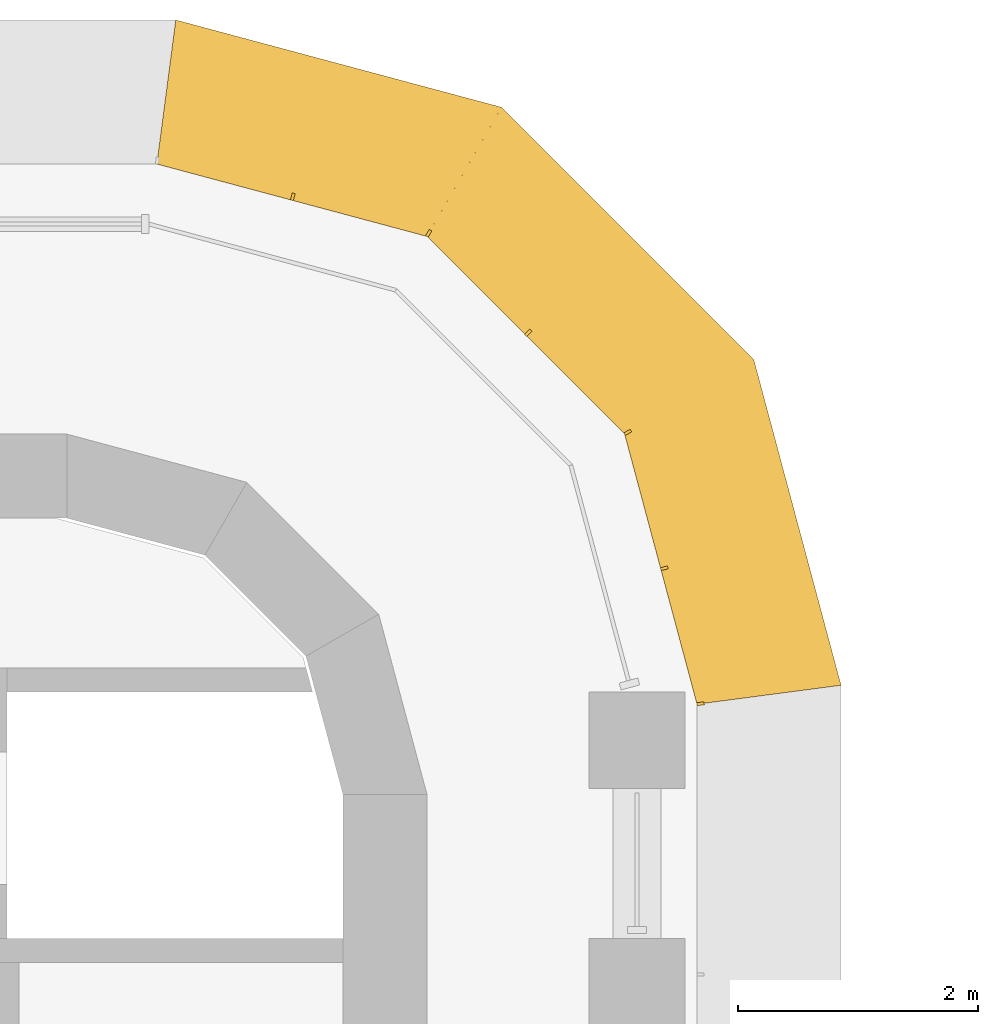
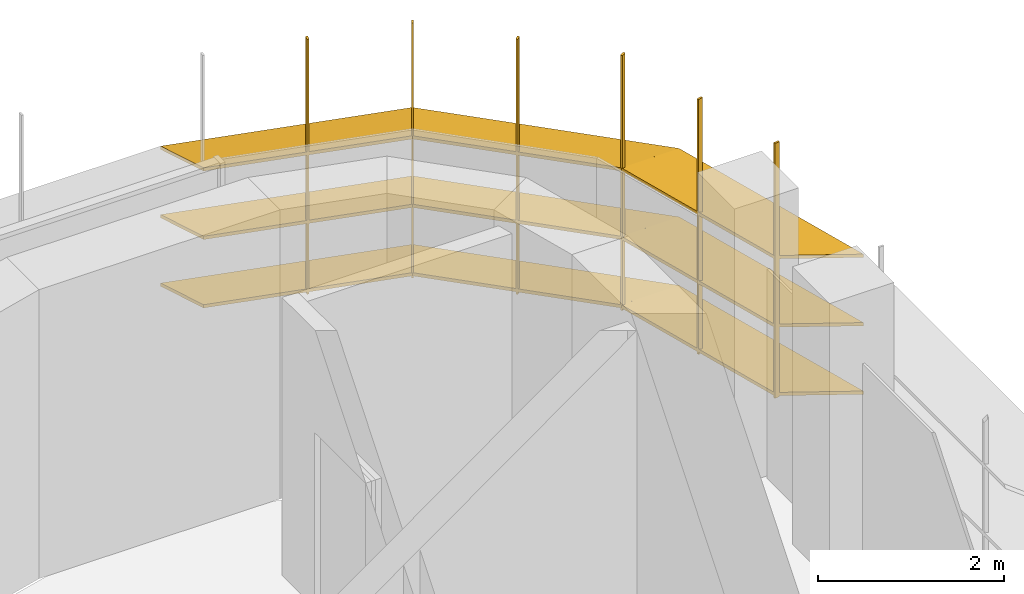
# One storey, part 20 of 20: 1 shading device.
"""IFC4 building model written with IfcOpenShell, lengths in metres."""

from ifc_helpers import new_model, si_unit, direction, frame, origin, place, context, subcontext, project, spatial, polyline, outline, extrude, faceted_brep, source, transform, mapped, material, type_object, element, save


model = new_model("IFC4")

# Units and contexts
model_context = context("Model", 3, precision=1e-05, world=origin(), true_north=direction((0.0, 1.0)))
body_context = subcontext(model_context, "Body", "Model", "MODEL_VIEW")
ifc_project = project(units=[si_unit("LENGTHUNIT", "METRE"), si_unit("AREAUNIT", "SQUARE_METRE"), si_unit("VOLUMEUNIT", "CUBIC_METRE"), si_unit("PLANEANGLEUNIT", "RADIAN"), si_unit("MASSUNIT", "GRAM", prefix="KILO")], contexts=[model_context])

# Site, building, storey
site_placement = place(None, origin())
site = spatial("IfcSite", under=ifc_project, at=site_placement, CompositionType="ELEMENT")
building_placement = place(site_placement, origin())
building = spatial("IfcBuilding", under=site, at=building_placement, Name="Zarbagh Exchange Tower", CompositionType="ELEMENT")
storey_placement = place(building_placement, frame((0.0, 0.0, 144.800048828125)))
storey = spatial("IfcBuildingStorey", under=building, at=storey_placement, Name="L34", CompositionType="ELEMENT", Elevation=144.800048828125)

# Shading device
ifc_material = material(Name="Anodised aluminium blades and brackets", Category="aluminium")
shading_device_type = type_object("IfcShadingDeviceType", Name="SUNSHADE louvre band, 22.5 degree blades", PredefinedType="JALOUSIE", material=ifc_material)
shared_shape_1 = source(origin(), body_context, "Body", "Brep", [
    faceted_brep([(0.0, 0.0, 0.0), (0.0, 0.0, -0.043212890625), (-0.157958984375, -1.199951171875, -0.540283203125), (-0.157958984375, -1.199951171875, -0.4970703125), (2.65087890625, -1.199951171875, -0.4970703125), (2.65087890625, -1.199951171875, -0.540283203125), (2.329345703125, 0.0, -0.043212890625), (2.329345703125, 0.0, 0.0)], [[[0, 1, 2, 3]], [[4, 5, 6, 7]], [[0, 7, 6, 1]], [[1, 6, 5, 2]], [[2, 5, 4, 3]], [[3, 4, 7, 0]]]),
])
shared_shape_2 = source(origin(), body_context, "Body", "Brep", [
    faceted_brep([(0.0, 0.0, 0.0), (0.0, 0.0, -0.043212890625), (-0.321533203125, -1.199951171875, -0.540283203125), (-0.321533203125, -1.199951171875, -0.4970703125), (2.65087890625, -1.199951171875, -0.4970703125), (2.65087890625, -1.199951171875, -0.540283203125), (2.329345703125, 0.0, -0.043212890625), (2.329345703125, 0.0, 0.0)], [[[0, 1, 2, 3]], [[4, 5, 6, 7]], [[0, 7, 6, 1]], [[1, 6, 5, 2]], [[2, 5, 4, 3]], [[3, 4, 7, 0]]]),
])
shared_shape_3 = source(origin(), body_context, "Body", "Brep", [
    faceted_brep([(0.0, 0.0, 0.0), (0.0, 0.0, -0.043212890625), (-0.321533203125, -1.199951171875, -0.540283203125), (-0.321533203125, -1.199951171875, -0.4970703125), (2.4873046875, -1.199951171875, -0.4970703125), (2.4873046875, -1.199951171875, -0.540283203125), (2.329345703125, 0.0, -0.043212890625), (2.329345703125, 0.0, 0.0)], [[[0, 1, 2, 3]], [[4, 5, 6, 7]], [[0, 7, 6, 1]], [[1, 6, 5, 2]], [[2, 5, 4, 3]], [[3, 4, 7, 0]]]),
])
shared_shape_4 = source(origin(), body_context, "Body", "SweptSolid", [
    extrude(outline(polyline([(0.0, -0.012451171875), (0.06005859375, -0.012451171875), (0.06005859375, 0.012451171875), (0.0, 0.012451171875), (0.0, -0.012451171875)])), origin(), (0.0, 0.0, 1.0), 3.353271484375),
])
shading_device_placement = place(storey_placement, origin())
element("IfcShadingDevice", 1, at=shading_device_placement, inside=storey, type_object=shading_device_type, Name="SS26 sunshade band", PredefinedType="JALOUSIE", context=body_context, shape_type="MappedRepresentation", body=[
    mapped(shared_shape_1, transform((6.75, 27.0, 2.300048828125), x_axis=(-0.258824779902, 0.965924289636, 0.0), y_axis=(-0.965924289636, -0.258824779902, 0.0), z_axis=(0.0, 0.0, 1.0))),
    mapped(shared_shape_1, transform((6.75, 27.0, 1.39990234375), x_axis=(-0.258824779902, 0.965924289636, 0.0), y_axis=(-0.965924289636, -0.258824779902, 0.0), z_axis=(0.0, 0.0, 1.0))),
    mapped(shared_shape_1, transform((6.75, 27.0, 0.5), x_axis=(-0.258824779902, 0.965924289636, 0.0), y_axis=(-0.965924289636, -0.258824779902, 0.0), z_axis=(0.0, 0.0, 1.0))),
    mapped(shared_shape_2, transform((6.147216796875, 29.25, 2.300048828125), x_axis=(-0.707106781187, 0.707106781187, 0.0), y_axis=(-0.707106781187, -0.707106781187, 0.0), z_axis=(0.0, 0.0, 1.0))),
    mapped(shared_shape_2, transform((6.147216796875, 29.25, 1.39990234375), x_axis=(-0.707106781187, 0.707106781187, 0.0), y_axis=(-0.707106781187, -0.707106781187, 0.0), z_axis=(0.0, 0.0, 1.0))),
    mapped(shared_shape_2, transform((6.147216796875, 29.25, 0.5), x_axis=(-0.707106781187, 0.707106781187, 0.0), y_axis=(-0.707106781187, -0.707106781187, 0.0), z_axis=(0.0, 0.0, 1.0))),
    mapped(shared_shape_3, transform((4.5, 30.897216796875, 2.300048828125), x_axis=(-0.965924289636, 0.258824779902, 0.0), y_axis=(-0.258824779902, -0.965924289636, 0.0), z_axis=(0.0, 0.0, 1.0))),
    mapped(shared_shape_3, transform((4.5, 30.897216796875, 1.39990234375), x_axis=(-0.965924289636, 0.258824779902, 0.0), y_axis=(-0.258824779902, -0.965924289636, 0.0), z_axis=(0.0, 0.0, 1.0))),
    mapped(shared_shape_3, transform((4.5, 30.897216796875, 0.5), x_axis=(-0.965924289636, 0.258824779902, 0.0), y_axis=(-0.258824779902, -0.965924289636, 0.0), z_axis=(0.0, 0.0, 1.0))),
    mapped(shared_shape_4, transform((6.75, 27.0, 0.4267578125), x_axis=(0.991444457092, 0.130529263012, 0.0), y_axis=(-0.130529263012, 0.991444457092, 0.0), z_axis=(0.0, 0.0, 1.0))),
    mapped(shared_shape_4, transform((6.448486328125, 28.125, 0.4267578125), x_axis=(0.96592421511, 0.258825058029, 0.0), y_axis=(-0.258825058029, 0.96592421511, 0.0), z_axis=(0.0, 0.0, 1.0))),
    mapped(shared_shape_4, transform((6.147216796875, 29.25, 0.4267578125), x_axis=(0.866023812018, 0.50000275701, 0.0), y_axis=(-0.50000275701, 0.866023812018, 0.0), z_axis=(0.0, 0.0, 1.0))),
    mapped(shared_shape_4, transform((5.323486328125, 30.073486328125, 0.4267578125), x_axis=(0.707106781187, 0.707106781187, 0.0), y_axis=(-0.707106781187, 0.707106781187, 0.0), z_axis=(0.0, 0.0, 1.0))),
    mapped(shared_shape_4, transform((4.5, 30.897216796875, 0.4267578125), x_axis=(0.50000275701, 0.866023812018, 0.0), y_axis=(-0.866023812018, 0.50000275701, 0.0), z_axis=(0.0, 0.0, 1.0))),
    mapped(shared_shape_4, transform((3.375, 31.198486328125, 0.4267578125), x_axis=(0.258825058029, 0.96592421511, 0.0), y_axis=(-0.96592421511, 0.258825058029, 0.0), z_axis=(0.0, 0.0, 1.0))),
])

save(model, "model.ifc")
